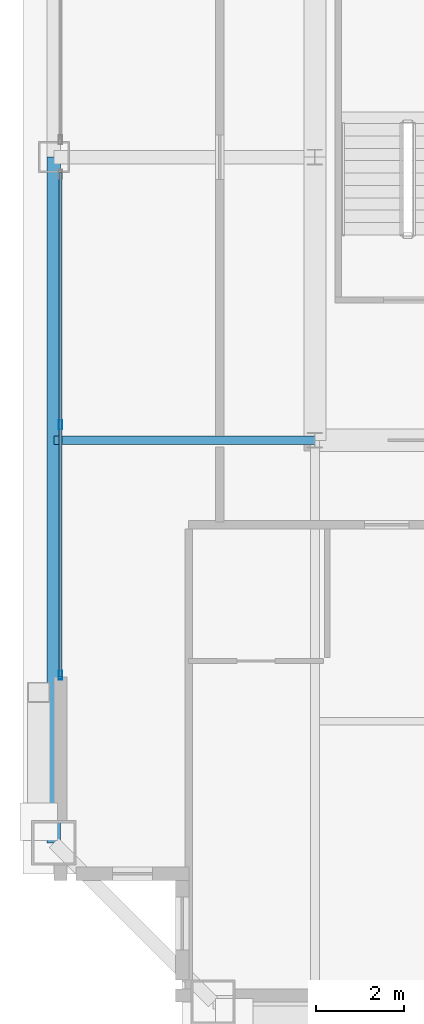
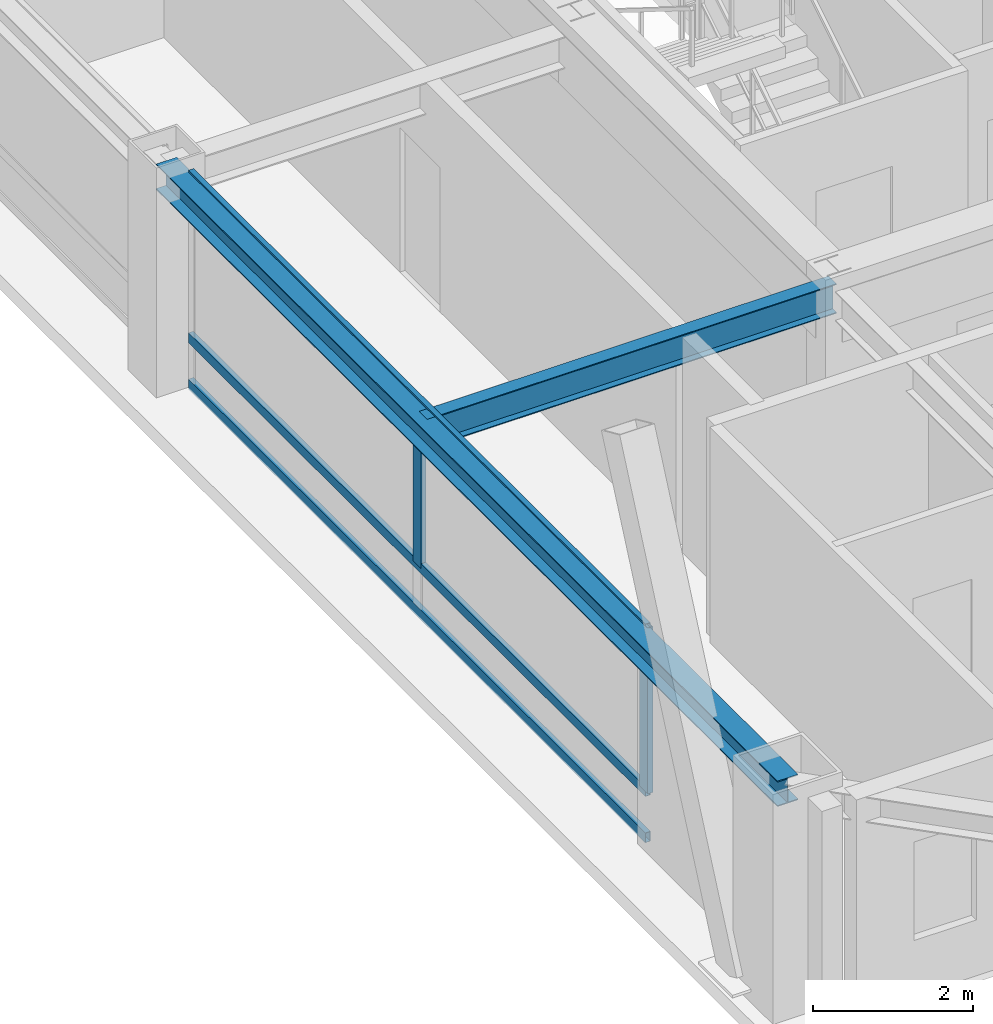
# One storey, part 6 of 35: 5 members, 2 beams, 1 element without a shape of its own.
"""IFC4 building model written with IfcOpenShell, lengths in metres."""

from ifc_helpers import new_model, si_unit, direction, frame, origin, origin_2d, place, context, subcontext, project, spatial, hollow_rectangle, i_section, extrude, source, transform, mapped, material, layer, layer_set, material_profile, profile_set, type_object, element, aggregate, save


model = new_model("IFC4")

# Units and contexts
model_context = context("Model", 3, precision=1e-05, world=origin(), true_north=direction((0.0, 1.0)))
body_context = subcontext(model_context, "Body", "Model", "MODEL_VIEW")
ifc_project = project(units=[si_unit("LENGTHUNIT", "METRE"), si_unit("AREAUNIT", "SQUARE_METRE"), si_unit("VOLUMEUNIT", "CUBIC_METRE"), si_unit("PLANEANGLEUNIT", "RADIAN"), si_unit("MASSUNIT", "GRAM", prefix="KILO"), si_unit("THERMODYNAMICTEMPERATUREUNIT", "KELVIN"), si_unit("POWERUNIT", "WATT")], contexts=[model_context])

# Site, building, storey
site_placement = place(None, origin())
site = spatial("IfcSite", under=ifc_project, at=site_placement, CompositionType="ELEMENT")
building_placement = place(site_placement, origin())
building = spatial("IfcBuilding", under=site, at=building_placement, Name="Yuzanri Waterfront Tower", CompositionType="ELEMENT")
storey_placement = place(building_placement, frame((0.0, 0.0, 314.699951171875)))
storey = spatial("IfcBuildingStorey", under=building, at=storey_placement, Name="L84", CompositionType="ELEMENT", Elevation=314.699951171875)

# Beams
ifc_material_1 = material(Name="Steel Q355B", Category="steel")
ifc_material_profile_1 = material_profile(ifc_material_1, i_section(OverallWidth=0.300048828125, OverallDepth=0.389892578125, WebThickness=0.010009765625, FlangeThickness=0.01611328125, at=origin_2d()), Name="HM 390x300x10x16")
ifc_profile_set_1 = profile_set([ifc_material_profile_1], Name="Steel Q355B")
beam_type_1 = type_object("IfcBeamType", Name="Perimeter Spandrel Q355B HM 390x300", PredefinedType="SPANDREL", material=ifc_profile_set_1)
shared_shape_1 = source(origin(), body_context, "Body", "SweptSolid", [
    extrude(i_section(OverallWidth=0.300048828125, OverallDepth=0.389892578125, WebThickness=0.010009765625, FlangeThickness=0.01611328125, at=origin_2d()), origin(), (0.0, 0.0, 1.0), 15.5),
])
beam_1_placement = place(storey_placement, frame((17.89990234375, 25.800048828125, 3.0849609375), z_axis=(0.0, -1.0, 0.0), x_axis=(1.0, 0.0, 0.0)))
element("IfcBeam", 1, at=beam_1_placement, inside=storey, type_object=beam_type_1, Name="L84 Perimeter Spandrel W2-W1", PredefinedType="SPANDREL", context=body_context, shape_type="MappedRepresentation", body=[
    mapped(shared_shape_1, transform((0.0, 0.0, 0.0), scale=1.0)),
])
ifc_material_2 = material(Name="Steel Q355B", Category="steel")
ifc_material_profile_2 = material_profile(ifc_material_2, i_section(OverallWidth=0.199951171875, OverallDepth=0.449951171875, WebThickness=0.009033203125, FlangeThickness=0.013916015625, at=origin_2d()), Name="HN 450x200x9x14")
ifc_profile_set_2 = profile_set([ifc_material_profile_2], Name="Steel Q355B")
beam_type_2 = type_object("IfcBeamType", Name="Secondary Floor Beam Q355B HN 450x200", PredefinedType="BEAM", material=ifc_profile_set_2)
shared_shape_2 = source(origin(), body_context, "Body", "SweptSolid", [
    extrude(i_section(OverallWidth=0.199951171875, OverallDepth=0.449951171875, WebThickness=0.009033203125, FlangeThickness=0.013916015625, at=origin_2d()), origin(), (0.0, 0.0, 1.0), 5.900146484375),
])
beam_2_placement = place(storey_placement, frame((23.800048828125, 19.39990234375, 3.054931640625), z_axis=(-1.0, 0.0, 0.0), x_axis=(0.0, -1.0, 0.0)))
element("IfcBeam", 2, at=beam_2_placement, inside=storey, type_object=beam_type_2, Name="L84 West-South Core Line Beam", PredefinedType="BEAM", context=body_context, shape_type="MappedRepresentation", body=[
    mapped(shared_shape_2, transform((0.0, 0.0, 0.0), scale=1.0)),
])

# Curtain wall, members
ifc_material_3 = material(Name="Anodized Architectural Bronze", Category="metal")
ifc_layer = layer(ifc_material_3, 0.159912109375)
ifc_layer_set = layer_set([ifc_layer], Name="Anodized Architectural Bronze")
curtain_wall_type = type_object("IfcCurtainWallType", Name="Anodized Bronze High-Rise Penthouse High-Wind Unitized Curtain Wall 6900", PredefinedType="NOTDEFINED", material=ifc_layer_set)
curtain_wall_placement = place(storey_placement, origin())
curtain_wall = element("IfcCurtainWall", 3, at=curtain_wall_placement, inside=storey, type_object=curtain_wall_type, Name="L84 Curtain Wall CW-L84-WL", PredefinedType="NOTDEFINED")
ifc_material_4 = material(Name="Anodized Architectural Bronze", Category="metal")
ifc_material_profile_3 = material_profile(ifc_material_4, hollow_rectangle(XDim=0.074951171875, YDim=0.199951171875, WallThickness=0.00390625, at=origin_2d()), Name="CWM 75x200")
ifc_profile_set_3 = profile_set([ifc_material_profile_3], Name="Anodized Architectural Bronze")
member_type_1 = type_object("IfcMemberType", Name="Anodized Bronze Primary Curtain-Wall Mullion 75x200", PredefinedType="MULLION", material=ifc_profile_set_3)
shared_shape_3 = source(origin(), body_context, "Body", "SweptSolid", [
    extrude(hollow_rectangle(XDim=0.074951171875, YDim=0.199951171875, WallThickness=0.00390625, at=origin_2d()), origin(), (0.0, 0.0, 1.0), 2.52392578125),
])
member_1_placement = place(storey_placement, frame((18.050048828125, 14.090087890625, 0.756103515625), z_axis=(0.0, 0.0, 1.0), x_axis=(1.0, 0.0, 0.0)))
member_1 = element("IfcMember", 4, at=member_1_placement, type_object=member_type_1, Name="CW-L84-WL Upper Mullion 00", PredefinedType="MULLION", context=body_context, shape_type="MappedRepresentation", body=[
    mapped(shared_shape_3, transform((0.0, 0.0, 0.0), scale=1.0)),
])
member_2_placement = place(storey_placement, frame((18.050048828125, 19.75, 0.756103515625), z_axis=(0.0, 0.0, 1.0), x_axis=(1.0, 0.0, 0.0)))
member_2 = element("IfcMember", 5, at=member_2_placement, type_object=member_type_1, Name="CW-L84-WL Upper Mullion 01", PredefinedType="MULLION", context=body_context, shape_type="MappedRepresentation", body=[
    mapped(shared_shape_3, transform((0.0, 0.0, 0.0), scale=1.0)),
])
ifc_material_5 = material(Name="Anodized Architectural Bronze", Category="metal")
ifc_material_profile_4 = material_profile(ifc_material_5, hollow_rectangle(XDim=0.074951171875, YDim=0.14990234375, WallThickness=0.00390625, at=origin_2d()), Name="CWT 75x150")
ifc_profile_set_4 = profile_set([ifc_material_profile_4], Name="Anodized Architectural Bronze")
member_type_2 = type_object("IfcMemberType", Name="Anodized Bronze Primary Curtain-Wall Transom 75x150", PredefinedType="USERDEFINED", material=ifc_profile_set_4)
shared_shape_4 = source(origin(), body_context, "Body", "SweptSolid", [
    extrude(hollow_rectangle(XDim=0.074951171875, YDim=0.14990234375, WallThickness=0.00390625, at=origin_2d()), origin(), (0.0, 0.0, 1.0), 11.39990234375),
])
member_3_placement = place(storey_placement, frame((18.050048828125, 14.050048828125, 0.050048828125), z_axis=(0.0, 1.0, 0.0), x_axis=(-1.0, 0.0, 0.0)))
member_3 = element("IfcMember", 6, at=member_3_placement, type_object=member_type_2, Name="CW-L84-WL Transom 1", ObjectType="TRANSOM", PredefinedType="USERDEFINED", context=body_context, shape_type="MappedRepresentation", body=[
    mapped(shared_shape_4, transform((0.0, 0.0, 0.0), scale=1.0)),
])
member_4_placement = place(storey_placement, frame((18.050048828125, 14.050048828125, 0.754150390625), z_axis=(0.0, 1.0, 0.0), x_axis=(-1.0, 0.0, 0.0)))
member_4 = element("IfcMember", 7, at=member_4_placement, type_object=member_type_2, Name="CW-L84-WL Transom 2", ObjectType="TRANSOM", PredefinedType="USERDEFINED", context=body_context, shape_type="MappedRepresentation", body=[
    mapped(shared_shape_4, transform((0.0, 0.0, 0.0), scale=1.0)),
])
member_5_placement = place(storey_placement, frame((18.050048828125, 14.050048828125, 3.22998046875), z_axis=(0.0, 1.0, 0.0), x_axis=(-1.0, 0.0, 0.0)))
member_5 = element("IfcMember", 8, at=member_5_placement, type_object=member_type_2, Name="CW-L84-WL Transom 3", ObjectType="TRANSOM", PredefinedType="USERDEFINED", context=body_context, shape_type="MappedRepresentation", body=[
    mapped(shared_shape_4, transform((0.0, 0.0, 0.0), scale=1.0)),
])
aggregate(curtain_wall, [member_1, member_2, member_3, member_4, member_5])

save(model, "model.ifc")
